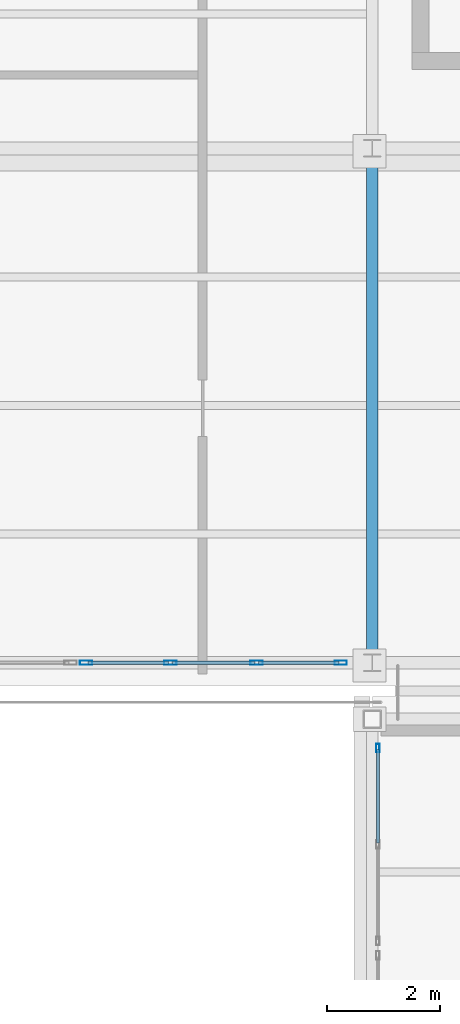
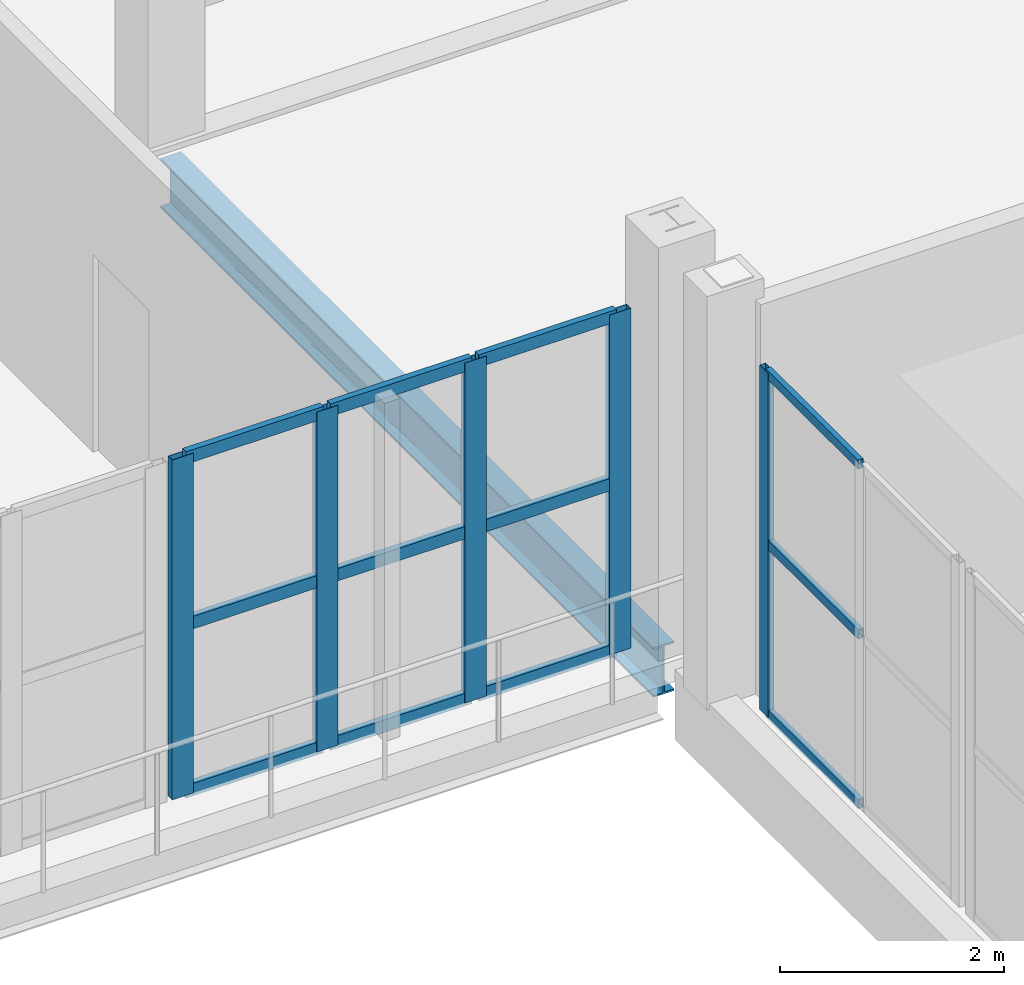
# One storey, part 94 of 156: 17 members, 1 beam, 2 elements without a shape of their own.
"""IFC4 building model written with IfcOpenShell, lengths in metres."""

from ifc_helpers import new_model, si_unit, direction, frame, origin, origin_2d, place, context, subcontext, project, spatial, hollow_rectangle, i_section, extrude, material, material_profile, profile_set, type_object, element, aggregate, save


model = new_model("IFC4")

# Units and contexts
model_context = context("Model", 3, precision=1e-05, world=origin(), true_north=direction((0.0, 1.0)))
body_context = subcontext(model_context, "Body", "Model", "MODEL_VIEW")
ifc_project = project(units=[si_unit("LENGTHUNIT", "METRE"), si_unit("AREAUNIT", "SQUARE_METRE"), si_unit("VOLUMEUNIT", "CUBIC_METRE"), si_unit("PLANEANGLEUNIT", "RADIAN"), si_unit("MASSUNIT", "GRAM", prefix="KILO")], contexts=[model_context])

# Site, building, storey
site_placement = place(None, origin())
site = spatial("IfcSite", under=ifc_project, at=site_placement, CompositionType="ELEMENT")
building_placement = place(site_placement, origin())
building = spatial("IfcBuilding", under=site, at=building_placement, Name="Caurita Quay Ferry Terminal", CompositionType="ELEMENT")
storey_placement = place(building_placement, frame((0.0, 0.0, 5.39990234375)))
storey = spatial("IfcBuildingStorey", under=building, at=storey_placement, Name="L01", CompositionType="ELEMENT", Elevation=5.39990234375)

# Beam
ifc_material_1 = material(Name="Structural steel ASTM A992 Gr. 50", Category="steel")
ifc_material_profile_1 = material_profile(ifc_material_1, i_section(OverallWidth=0.210693359375, OverallDepth=0.53857421875, WebThickness=0.01171875, FlangeThickness=0.018798828125, FilletRadius=0.013916015625, at=origin_2d()), Name="W21X73")
ifc_profile_set_1 = profile_set([ifc_material_profile_1], Name="Structural steel ASTM A992 Gr. 50")
beam_type = type_object("IfcBeamType", Name="BM-GR-W21A", PredefinedType="BEAM", material=ifc_profile_set_1)
beam_placement = place(storey_placement, frame((163.60009765625, 34.75439453125, -0.504150390625), z_axis=(0.0, 1.0, 0.0), x_axis=(-1.0, 0.0, 0.0)))
element("IfcBeam", 1, at=beam_placement, inside=storey, type_object=beam_type, Name="L01 Beam BM-V3H-L01-Y-1636-348", PredefinedType="BEAM", context=body_context, shape_type="SweptSolid", body=[
    extrude(i_section(OverallWidth=0.210693359375, OverallDepth=0.53857421875, WebThickness=0.01171875, FlangeThickness=0.018798828125, FilletRadius=0.013916015625, at=origin_2d()), origin(), (0.0, 0.0, 1.0), 8.791259765625),
])

# Curtain wall, member
ifc_material_2 = material(Name="Laminated solar-control insulated glass", Category="glass")
curtain_wall_type_1 = type_object("IfcCurtainWallType", Name="CW-SYS-16", PredefinedType="NOTDEFINED", material=ifc_material_2)
curtain_wall_1_placement = place(storey_placement, origin())
curtain_wall_1 = element("IfcCurtainWall", 2, at=curtain_wall_1_placement, inside=storey, type_object=curtain_wall_type_1, Name="Boarding Gangway Ribbon Curtain Wall 129", PredefinedType="NOTDEFINED")
ifc_material_3 = material(Name="Anodized aluminium 6063-T6", Category="aluminium")
ifc_material_profile_2 = material_profile(ifc_material_3, hollow_rectangle(XDim=0.06005859375, YDim=0.14990234375, WallThickness=0.00341796875, at=origin_2d()), Name="ALU-MUL-60X150")
ifc_profile_set_2 = profile_set([ifc_material_profile_2], Name="Anodized aluminium 6063-T6")
member_type_1 = type_object("IfcMemberType", Name="CW-MUL-150", PredefinedType="MULLION", material=ifc_profile_set_2)
member_1_placement = place(storey_placement, frame((163.699951171875, 33.090087890625, 0.0), z_axis=(0.0, 0.0, 1.0), x_axis=(-1.0, 0.0, 0.0)))
member_1 = element("IfcMember", 3, at=member_1_placement, type_object=member_type_1, Name="CW-BGW-129 Mullion 3", PredefinedType="MULLION", context=body_context, shape_type="SweptSolid", body=[
    extrude(hollow_rectangle(XDim=0.06005859375, YDim=0.14990234375, WallThickness=0.00341796875, at=origin_2d()), origin(), (0.0, 0.0, 1.0), 3.75),
])

# Curtain wall, members
curtain_wall_type_2 = type_object("IfcCurtainWallType", Name="CW-SYS-10", PredefinedType="NOTDEFINED", material=ifc_material_2)
curtain_wall_2_placement = place(storey_placement, origin())
curtain_wall_2 = element("IfcCurtainWall", 4, at=curtain_wall_2_placement, inside=storey, type_object=curtain_wall_type_2, Name="V3 Waterside Concourse Curtain Wall 076", PredefinedType="NOTDEFINED")
ifc_material_profile_3 = material_profile(ifc_material_3, hollow_rectangle(XDim=0.074951171875, YDim=0.219970703125, WallThickness=0.00390625, at=origin_2d()), Name="ALU-MUL-75X220")
ifc_profile_set_3 = profile_set([ifc_material_profile_3], Name="Anodized aluminium 6063-T6")
member_type_2 = type_object("IfcMemberType", Name="CW-MUL-220", PredefinedType="MULLION", material=ifc_profile_set_3)
member_2_placement = place(storey_placement, frame((158.53759765625, 34.60009765625, 0.0), z_axis=(0.0, 0.0, 1.0), x_axis=(0.0, 1.0, 0.0)))
member_2 = element("IfcMember", 5, at=member_2_placement, type_object=member_type_2, Name="CW-SEA-076 Mullion 1", PredefinedType="MULLION", context=body_context, shape_type="SweptSolid", body=[
    extrude(hollow_rectangle(XDim=0.074951171875, YDim=0.219970703125, WallThickness=0.00390625, at=origin_2d()), origin(), (0.0, 0.0, 1.0), 3.7001953125),
])
member_3_placement = place(storey_placement, frame((160.026611328125, 34.60009765625, 0.0), z_axis=(0.0, 0.0, 1.0), x_axis=(0.0, 1.0, 0.0)))
member_3 = element("IfcMember", 6, at=member_3_placement, type_object=member_type_2, Name="CW-SEA-076 Mullion 2", PredefinedType="MULLION", context=body_context, shape_type="SweptSolid", body=[
    extrude(hollow_rectangle(XDim=0.074951171875, YDim=0.219970703125, WallThickness=0.00390625, at=origin_2d()), origin(), (0.0, 0.0, 1.0), 3.7001953125),
])
member_4_placement = place(storey_placement, frame((161.55322265625, 34.60009765625, 0.0), z_axis=(0.0, 0.0, 1.0), x_axis=(0.0, 1.0, 0.0)))
member_4 = element("IfcMember", 7, at=member_4_placement, type_object=member_type_2, Name="CW-SEA-076 Mullion 3", PredefinedType="MULLION", context=body_context, shape_type="SweptSolid", body=[
    extrude(hollow_rectangle(XDim=0.074951171875, YDim=0.219970703125, WallThickness=0.00390625, at=origin_2d()), origin(), (0.0, 0.0, 1.0), 3.7001953125),
])
member_5_placement = place(storey_placement, frame((163.04248046875, 34.60009765625, 0.0), z_axis=(0.0, 0.0, 1.0), x_axis=(0.0, 1.0, 0.0)))
member_5 = element("IfcMember", 8, at=member_5_placement, type_object=member_type_2, Name="CW-SEA-076 Mullion 4", PredefinedType="MULLION", context=body_context, shape_type="SweptSolid", body=[
    extrude(hollow_rectangle(XDim=0.074951171875, YDim=0.219970703125, WallThickness=0.00390625, at=origin_2d()), origin(), (0.0, 0.0, 1.0), 3.7001953125),
])

# Member
ifc_material_profile_4 = material_profile(ifc_material_3, hollow_rectangle(XDim=0.054931640625, YDim=0.10009765625, WallThickness=0.00341796875, at=origin_2d()), Name="ALU-TRN-55X100")
ifc_profile_set_4 = profile_set([ifc_material_profile_4], Name="Anodized aluminium 6063-T6")
member_type_3 = type_object("IfcMemberType", Name="CW-TRN-100", PredefinedType="USERDEFINED", material=ifc_profile_set_4)
member_6_placement = place(storey_placement, frame((163.699951171875, 31.4130859375, 0.027587890625), z_axis=(0.0, 1.0, 0.0), x_axis=(-1.0, 0.0, 0.0)))
member_6 = element("IfcMember", 9, at=member_6_placement, type_object=member_type_3, Name="CW-BGW-129 Transom 4", ObjectType="TRANSOM", PredefinedType="USERDEFINED", context=body_context, shape_type="SweptSolid", body=[
    extrude(hollow_rectangle(XDim=0.054931640625, YDim=0.10009765625, WallThickness=0.00341796875, at=origin_2d()), origin(), (0.0, 0.0, 1.0), 1.64892578125),
])

member_7_placement = place(storey_placement, frame((163.699951171875, 31.4130859375, 1.875), z_axis=(0.0, 1.0, 0.0), x_axis=(-1.0, 0.0, 0.0)))
member_7 = element("IfcMember", 10, at=member_7_placement, type_object=member_type_3, Name="CW-BGW-129 Transom 5", ObjectType="TRANSOM", PredefinedType="USERDEFINED", context=body_context, shape_type="SweptSolid", body=[
    extrude(hollow_rectangle(XDim=0.054931640625, YDim=0.10009765625, WallThickness=0.00341796875, at=origin_2d()), origin(), (0.0, 0.0, 1.0), 1.64892578125),
])

member_8_placement = place(storey_placement, frame((163.699951171875, 31.4130859375, 3.72265625), z_axis=(0.0, 1.0, 0.0), x_axis=(-1.0, 0.0, 0.0)))
member_8 = element("IfcMember", 11, at=member_8_placement, type_object=member_type_3, Name="CW-BGW-129 Transom 6", ObjectType="TRANSOM", PredefinedType="USERDEFINED", context=body_context, shape_type="SweptSolid", body=[
    extrude(hollow_rectangle(XDim=0.054931640625, YDim=0.10009765625, WallThickness=0.00341796875, at=origin_2d()), origin(), (0.0, 0.0, 1.0), 1.64892578125),
])

aggregate(curtain_wall_1, [member_1, member_6, member_7, member_8])

ifc_material_profile_5 = material_profile(ifc_material_3, hollow_rectangle(XDim=0.06494140625, YDim=0.135009765625, WallThickness=0.00341796875, at=origin_2d()), Name="ALU-TRN-65X135")
ifc_profile_set_5 = profile_set([ifc_material_profile_5], Name="Anodized aluminium 6063-T6")
member_type_4 = type_object("IfcMemberType", Name="CW-TRN-135", PredefinedType="USERDEFINED", material=ifc_profile_set_5)
member_9_placement = place(storey_placement, frame((158.572998046875, 34.60009765625, 0.03271484375), z_axis=(1.0, 0.0, 0.0), x_axis=(0.0, 1.0, 0.0)))
member_9 = element("IfcMember", 12, at=member_9_placement, type_object=member_type_4, Name="CW-SEA-076 Transom 1", ObjectType="TRANSOM", PredefinedType="USERDEFINED", context=body_context, shape_type="SweptSolid", body=[
    extrude(hollow_rectangle(XDim=0.06494140625, YDim=0.135009765625, WallThickness=0.00341796875, at=origin_2d()), origin(), (0.0, 0.0, 1.0), 1.418212890625),
])

member_10_placement = place(storey_placement, frame((158.572998046875, 34.60009765625, 1.85009765625), z_axis=(1.0, 0.0, 0.0), x_axis=(0.0, 1.0, 0.0)))
member_10 = element("IfcMember", 13, at=member_10_placement, type_object=member_type_4, Name="CW-SEA-076 Transom 2", ObjectType="TRANSOM", PredefinedType="USERDEFINED", context=body_context, shape_type="SweptSolid", body=[
    extrude(hollow_rectangle(XDim=0.06494140625, YDim=0.135009765625, WallThickness=0.00341796875, at=origin_2d()), origin(), (0.0, 0.0, 1.0), 1.418212890625),
])

member_11_placement = place(storey_placement, frame((158.572998046875, 34.60009765625, 3.66748046875), z_axis=(1.0, 0.0, 0.0), x_axis=(0.0, 1.0, 0.0)))
member_11 = element("IfcMember", 14, at=member_11_placement, type_object=member_type_4, Name="CW-SEA-076 Transom 3", ObjectType="TRANSOM", PredefinedType="USERDEFINED", context=body_context, shape_type="SweptSolid", body=[
    extrude(hollow_rectangle(XDim=0.06494140625, YDim=0.135009765625, WallThickness=0.00341796875, at=origin_2d()), origin(), (0.0, 0.0, 1.0), 1.418212890625),
])

member_12_placement = place(storey_placement, frame((160.062255859375, 34.60009765625, 0.03271484375), z_axis=(1.0, 0.0, 0.0), x_axis=(0.0, 1.0, 0.0)))
member_12 = element("IfcMember", 15, at=member_12_placement, type_object=member_type_4, Name="CW-SEA-076 Transom 4", ObjectType="TRANSOM", PredefinedType="USERDEFINED", context=body_context, shape_type="SweptSolid", body=[
    extrude(hollow_rectangle(XDim=0.06494140625, YDim=0.135009765625, WallThickness=0.00341796875, at=origin_2d()), origin(), (0.0, 0.0, 1.0), 1.45556640625),
])

member_13_placement = place(storey_placement, frame((160.062255859375, 34.60009765625, 1.85009765625), z_axis=(1.0, 0.0, 0.0), x_axis=(0.0, 1.0, 0.0)))
member_13 = element("IfcMember", 16, at=member_13_placement, type_object=member_type_4, Name="CW-SEA-076 Transom 5", ObjectType="TRANSOM", PredefinedType="USERDEFINED", context=body_context, shape_type="SweptSolid", body=[
    extrude(hollow_rectangle(XDim=0.06494140625, YDim=0.135009765625, WallThickness=0.00341796875, at=origin_2d()), origin(), (0.0, 0.0, 1.0), 1.45556640625),
])

member_14_placement = place(storey_placement, frame((160.062255859375, 34.60009765625, 3.66748046875), z_axis=(1.0, 0.0, 0.0), x_axis=(0.0, 1.0, 0.0)))
member_14 = element("IfcMember", 17, at=member_14_placement, type_object=member_type_4, Name="CW-SEA-076 Transom 6", ObjectType="TRANSOM", PredefinedType="USERDEFINED", context=body_context, shape_type="SweptSolid", body=[
    extrude(hollow_rectangle(XDim=0.06494140625, YDim=0.135009765625, WallThickness=0.00341796875, at=origin_2d()), origin(), (0.0, 0.0, 1.0), 1.45556640625),
])

member_15_placement = place(storey_placement, frame((161.5888671875, 34.60009765625, 0.03271484375), z_axis=(1.0, 0.0, 0.0), x_axis=(0.0, 1.0, 0.0)))
member_15 = element("IfcMember", 18, at=member_15_placement, type_object=member_type_4, Name="CW-SEA-076 Transom 7", ObjectType="TRANSOM", PredefinedType="USERDEFINED", context=body_context, shape_type="SweptSolid", body=[
    extrude(hollow_rectangle(XDim=0.06494140625, YDim=0.135009765625, WallThickness=0.00341796875, at=origin_2d()), origin(), (0.0, 0.0, 1.0), 1.418212890625),
])

member_16_placement = place(storey_placement, frame((161.5888671875, 34.60009765625, 1.85009765625), z_axis=(1.0, 0.0, 0.0), x_axis=(0.0, 1.0, 0.0)))
member_16 = element("IfcMember", 19, at=member_16_placement, type_object=member_type_4, Name="CW-SEA-076 Transom 8", ObjectType="TRANSOM", PredefinedType="USERDEFINED", context=body_context, shape_type="SweptSolid", body=[
    extrude(hollow_rectangle(XDim=0.06494140625, YDim=0.135009765625, WallThickness=0.00341796875, at=origin_2d()), origin(), (0.0, 0.0, 1.0), 1.418212890625),
])

member_17_placement = place(storey_placement, frame((161.5888671875, 34.60009765625, 3.66748046875), z_axis=(1.0, 0.0, 0.0), x_axis=(0.0, 1.0, 0.0)))
member_17 = element("IfcMember", 20, at=member_17_placement, type_object=member_type_4, Name="CW-SEA-076 Transom 9", ObjectType="TRANSOM", PredefinedType="USERDEFINED", context=body_context, shape_type="SweptSolid", body=[
    extrude(hollow_rectangle(XDim=0.06494140625, YDim=0.135009765625, WallThickness=0.00341796875, at=origin_2d()), origin(), (0.0, 0.0, 1.0), 1.418212890625),
])

aggregate(curtain_wall_2, [member_2, member_3, member_4, member_5, member_9, member_10, member_11, member_12, member_13, member_14, member_15, member_16, member_17])

save(model, "model.ifc")
